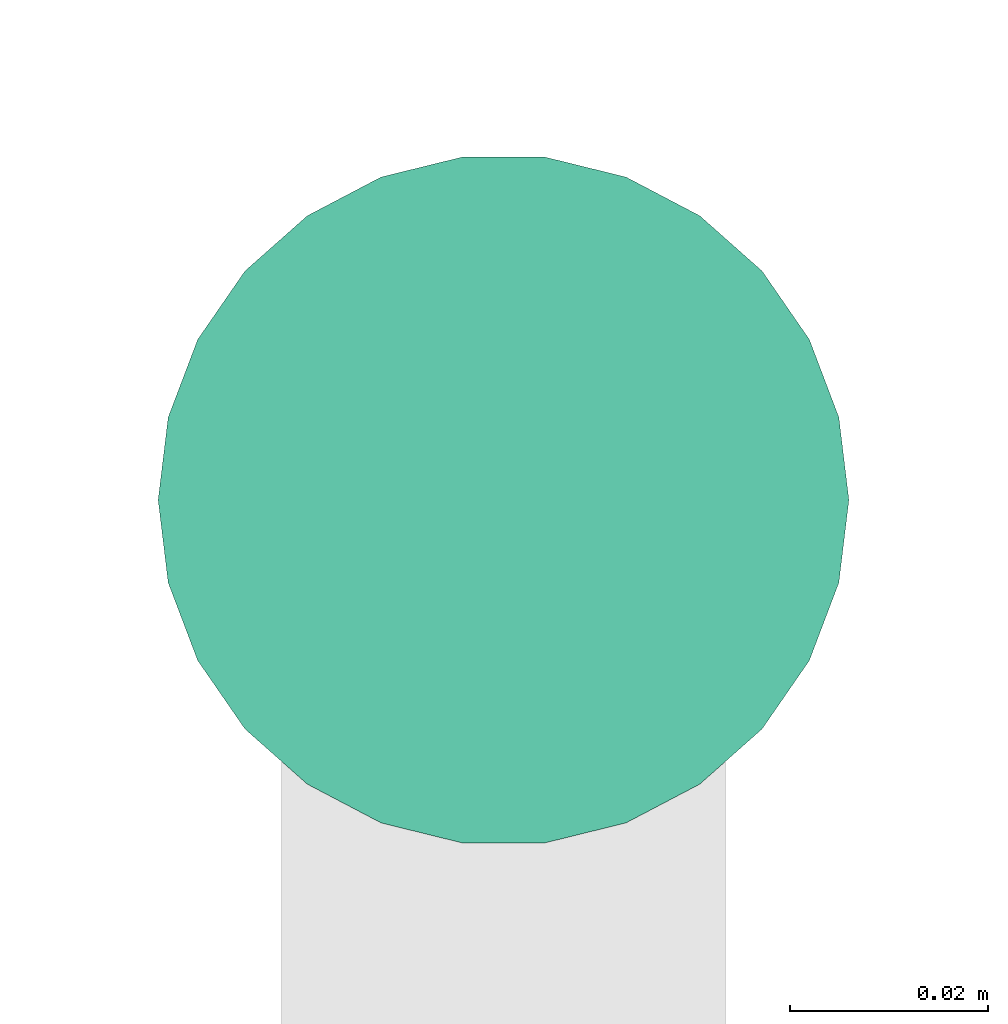
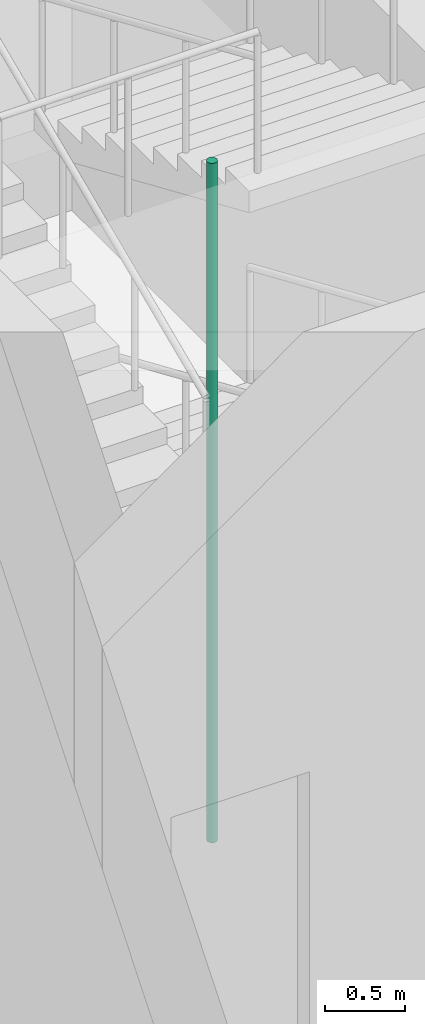
# One storey, part 24 of 31: 1 pipe segment.
"""IFC4 building model written with IfcOpenShell, lengths in metres."""

from ifc_helpers import new_model, si_unit, direction, frame, origin, origin_2d, place, context, subcontext, project, spatial, circle, extrude, element, save


model = new_model("IFC4")

# Units and contexts
model_context = context("Model", 3, precision=1e-05, world=origin(), true_north=direction((0.0, 1.0)))
body_context = subcontext(model_context, "Body", "Model", "MODEL_VIEW")
ifc_project = project(units=[si_unit("LENGTHUNIT", "METRE"), si_unit("AREAUNIT", "SQUARE_METRE"), si_unit("VOLUMEUNIT", "CUBIC_METRE"), si_unit("PLANEANGLEUNIT", "RADIAN"), si_unit("MASSUNIT", "GRAM", prefix="KILO")], contexts=[model_context])

# Site, building, storey
site_placement = place(None, origin())
site = spatial("IfcSite", under=ifc_project, at=site_placement, CompositionType="ELEMENT")
building_placement = place(site_placement, origin())
building = spatial("IfcBuilding", under=site, at=building_placement, Name="Nzadi Deep Aquarium and Research Tower", CompositionType="ELEMENT")
storey_placement = place(building_placement, frame((0.0, 0.0, 26.699951171875)))
storey = spatial("IfcBuildingStorey", under=building, at=storey_placement, Name="L04", CompositionType="ELEMENT", Elevation=26.699951171875)

# Pipe segment
pipe_segment_placement = place(storey_placement, frame((2.300048828125, 116.360107421875, 0.0), z_axis=(0.0, 0.0, 1.0), x_axis=(1.0, 0.0, 0.0)))
element("IfcPipeSegment", 1, at=pipe_segment_placement, inside=storey, Name="Dry riser ST-Z3-W L04", PredefinedType="RIGIDSEGMENT", context=body_context, shape_type="SweptSolid", body=[
    extrude(circle(Radius=0.034912109375, at=origin_2d()), origin(), (0.0, 0.0, 1.0), 5.199951171875),
])

save(model, "model.ifc")
